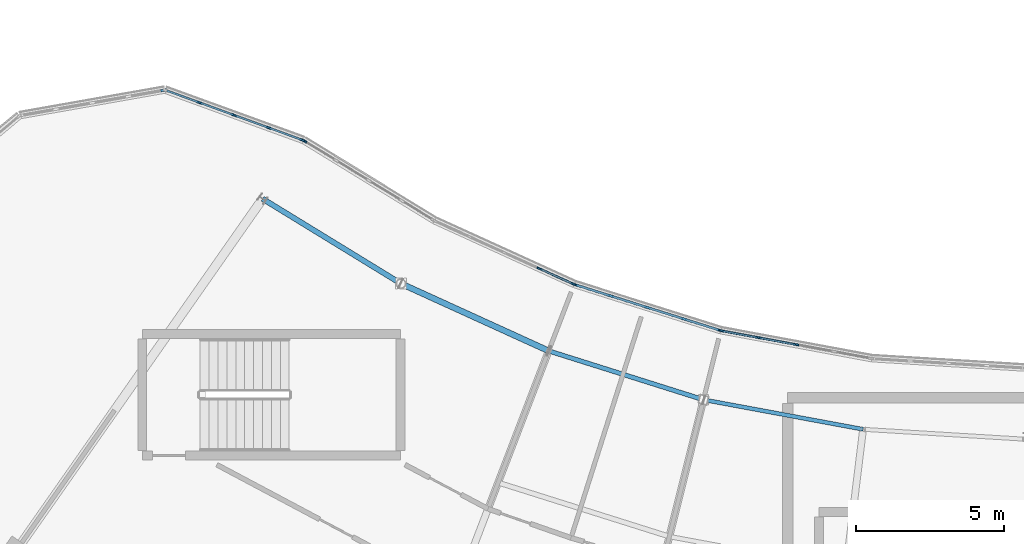
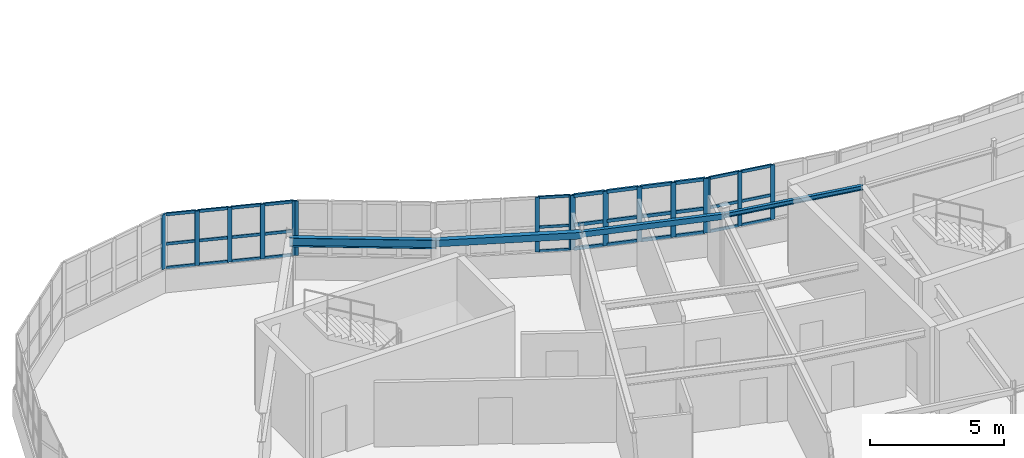
# One storey, part 22 of 79: 49 members, 4 beams, 6 elements without a shape of their own.
"""IFC4 building model written with IfcOpenShell, lengths in metres."""

from ifc_helpers import new_model, si_unit, direction, frame, origin, origin_2d, place, context, subcontext, project, spatial, rectangle, hollow_rectangle, i_section, extrude, material, layer, layer_set, material_profile, profile_set, type_object, element, aggregate, save


model = new_model("IFC4")

# Units and contexts
model_context = context("Model", 3, precision=1e-05, world=origin(), true_north=direction((0.0, 1.0)))
body_context = subcontext(model_context, "Body", "Model", "MODEL_VIEW")
ifc_project = project(units=[si_unit("LENGTHUNIT", "METRE"), si_unit("AREAUNIT", "SQUARE_METRE"), si_unit("VOLUMEUNIT", "CUBIC_METRE"), si_unit("PLANEANGLEUNIT", "RADIAN"), si_unit("MASSUNIT", "GRAM", prefix="KILO")], contexts=[model_context])

# Site, building, storey
site_placement = place(None, origin())
site = spatial("IfcSite", under=ifc_project, at=site_placement, CompositionType="ELEMENT")
building_placement = place(site_placement, origin())
building = spatial("IfcBuilding", under=site, at=building_placement, Name="Tarnwether General Hospital", CompositionType="ELEMENT")
storey_placement = place(building_placement, frame((0.0, 0.0, 18.300048828125)))
storey = spatial("IfcBuildingStorey", under=building, at=storey_placement, Name="L04", CompositionType="ELEMENT", Elevation=18.300048828125)

# Beams
ifc_material_1 = material(Name="Steel Grade 350 (350 MPa)", Category="steel")
ifc_material_profile_1 = material_profile(ifc_material_1, i_section(OverallWidth=0.177978515625, OverallDepth=0.403076171875, WebThickness=0.007568359375, FlangeThickness=0.010986328125, at=origin_2d()), Name="410UB53.7")
ifc_profile_set_1 = profile_set([ifc_material_profile_1], Name="Steel Grade 350 (350 MPa)")
beam_type_1 = type_object("IfcBeamType", Name="BM-SP2", PredefinedType="SPANDREL", material=ifc_profile_set_1)
beam_1_placement = place(storey_placement, frame((66.303955078125, 26.302001953125, 3.3583984375), z_axis=(0.85265897909, -0.522467860617, 0.0), x_axis=(0.522467860617, 0.85265897909, 0.0)))
element("IfcBeam", 1, at=beam_1_placement, inside=storey, type_object=beam_type_1, Name="Curved Ward SE Inner Spandrel BMG-L04-6630_2630-7097_2344-2139", PredefinedType="SPANDREL", context=body_context, shape_type="SweptSolid", body=[
    extrude(i_section(OverallWidth=0.177978515625, OverallDepth=0.403076171875, WebThickness=0.007568359375, FlangeThickness=0.010986328125, at=origin_2d()), origin(), (0.0, 0.0, 1.0), 5.469970703125),
])
ifc_material_2 = material(Name="Steel Grade C350L0 (350 MPa)", Category="steel")
ifc_material_profile_2 = material_profile(ifc_material_2, hollow_rectangle(XDim=0.199951171875, YDim=0.300048828125, WallThickness=0.012451171875, at=origin_2d()), Name="RHS300x200x12.5")
ifc_profile_set_2 = profile_set([ifc_material_profile_2], Name="Steel Grade C350L0 (350 MPa)")
beam_type_2 = type_object("IfcBeamType", Name="BM-SP3", PredefinedType="SPANDREL", material=ifc_profile_set_2)
beam_2_placement = place(storey_placement, frame((70.968017578125, 23.444091796875, 3.409912109375), z_axis=(0.909968605358, -0.414677148228, 0.0), x_axis=(0.414677148228, 0.909968605358, 0.0)))
element("IfcBeam", 2, at=beam_2_placement, inside=storey, type_object=beam_type_2, Name="Curved Ward SE Inner Spandrel BMG-L04-7097_2344-7594_2118-2141", PredefinedType="SPANDREL", context=body_context, shape_type="SweptSolid", body=[
    extrude(hollow_rectangle(XDim=0.199951171875, YDim=0.300048828125, WallThickness=0.012451171875, at=origin_2d()), origin(), (0.0, 0.0, 1.0), 5.469482421875),
])
ifc_material_3 = material(Name="Steel Grade C350L0 (350 MPa)", Category="steel")
ifc_material_profile_3 = material_profile(ifc_material_3, hollow_rectangle(XDim=0.14990234375, YDim=0.25, WallThickness=0.010009765625, at=origin_2d()), Name="RHS250x150x10")
ifc_profile_set_3 = profile_set([ifc_material_profile_3], Name="Steel Grade C350L0 (350 MPa)")
beam_type_3 = type_object("IfcBeamType", Name="BM-SP4", PredefinedType="SPANDREL", material=ifc_profile_set_3)
beam_3_placement = place(storey_placement, frame((75.945068359375, 21.176025390625, 3.43505859375), z_axis=(0.953712084488, -0.300721232874, 0.0), x_axis=(0.300721232874, 0.953712084488, 0.0)))
element("IfcBeam", 3, at=beam_3_placement, inside=storey, type_object=beam_type_3, Name="Curved Ward SE Inner Spandrel BMG-L04-7594_2118-8116_1953-2143", PredefinedType="SPANDREL", context=body_context, shape_type="SweptSolid", body=[
    extrude(hollow_rectangle(XDim=0.14990234375, YDim=0.25, WallThickness=0.010009765625, at=origin_2d()), origin(), (0.0, 0.0, 1.0), 5.47021484375),
])
ifc_material_4 = material(Name="Steel Grade 350 (350 MPa)", Category="steel")
ifc_material_profile_4 = material_profile(ifc_material_4, i_section(OverallWidth=0.133056640625, OverallDepth=0.202880859375, WebThickness=0.005859375, FlangeThickness=0.0078125, at=origin_2d()), Name="200UB25.4")
ifc_profile_set_4 = profile_set([ifc_material_profile_4], Name="Steel Grade 350 (350 MPa)")
beam_type_4 = type_object("IfcBeamType", Name="BM-SP5", PredefinedType="SPANDREL", material=ifc_profile_set_4)
beam_4_placement = place(storey_placement, frame((81.162109375, 19.531005859375, 3.45849609375), z_axis=(0.983244096291, -0.18229384825, 0.0), x_axis=(0.18229384825, 0.983244096291, 0.0)))
element("IfcBeam", 4, at=beam_4_placement, inside=storey, type_object=beam_type_4, Name="Curved Ward SE Inner Spandrel BMG-L04-8116_1953-8654_1853-2147", PredefinedType="SPANDREL", context=body_context, shape_type="SweptSolid", body=[
    extrude(i_section(OverallWidth=0.133056640625, OverallDepth=0.202880859375, WebThickness=0.005859375, FlangeThickness=0.0078125, at=origin_2d()), origin(), (0.0, 0.0, 1.0), 5.469482421875),
])

# Curtain wall, members
ifc_material_5 = material(Name="Anodised aluminium", Category="aluminium")
ifc_layer = layer(ifc_material_5, 0.159912109375)
ifc_layer_set = layer_set([ifc_layer], Name="Anodised aluminium")
curtain_wall_type = type_object("IfcCurtainWallType", Name="CW-03", PredefinedType="NOTDEFINED", material=ifc_layer_set)
curtain_wall_1_placement = place(storey_placement, origin())
curtain_wall_1 = element("IfcCurtainWall", 5, at=curtain_wall_1_placement, inside=storey, type_object=curtain_wall_type, Name="Curtain Wall CWG-L04-721_256-0210", PredefinedType="NOTDEFINED")
ifc_material_6 = material(Name="Anodised aluminium", Category="aluminium")
ifc_material_profile_5 = material_profile(ifc_material_6, rectangle(XDim=0.06005859375, YDim=0.159912109375, at=origin_2d()), Name="ALU-MUL-60x160")
ifc_profile_set_5 = profile_set([ifc_material_profile_5], Name="Anodised aluminium")
member_type_1 = type_object("IfcMemberType", Name="CW-ML1", PredefinedType="MULLION", material=ifc_profile_set_5)
member_1_placement = place(storey_placement, frame((75.627197265625, 23.95263671875, 1.050048828125), z_axis=(0.0, 0.0, 1.0), x_axis=(0.41470501572, 0.90995590549, 0.0)))
member_1 = element("IfcMember", 6, at=member_1_placement, type_object=member_type_1, Name="CW-03 mullion 4", PredefinedType="MULLION", context=body_context, shape_type="SweptSolid", body=[
    extrude(rectangle(XDim=0.06005859375, YDim=0.159912109375, at=origin_2d()), origin(), (0.0, 0.0, 1.0), 2.489990234375),
])
member_2_placement = place(storey_placement, frame((76.777587890625, 23.428466796875, 1.050048828125), z_axis=(0.0, 0.0, 1.0), x_axis=(0.41470501572, 0.90995590549, 0.0)))
member_2 = element("IfcMember", 7, at=member_2_placement, type_object=member_type_1, Name="CW-03 mullion 5", PredefinedType="MULLION", context=body_context, shape_type="SweptSolid", body=[
    extrude(rectangle(XDim=0.06005859375, YDim=0.159912109375, at=origin_2d()), origin(), (0.0, 0.0, 1.0), 2.489990234375),
])

# Curtain wall, member
curtain_wall_2_placement = place(storey_placement, origin())
curtain_wall_2 = element("IfcCurtainWall", 8, at=curtain_wall_2_placement, inside=storey, type_object=curtain_wall_type, Name="Curtain Wall CWG-L04-677_283-0211", PredefinedType="NOTDEFINED")
ifc_material_7 = material(Name="Anodised aluminium", Category="aluminium")
ifc_material_profile_6 = material_profile(ifc_material_7, rectangle(XDim=0.070068359375, YDim=0.179931640625, at=origin_2d()), Name="ALU-MUL-70x180")
ifc_profile_set_6 = profile_set([ifc_material_profile_6], Name="Anodised aluminium")
member_type_2 = type_object("IfcMemberType", Name="CW-ML2", PredefinedType="MULLION", material=ifc_profile_set_6)
member_3_placement = place(storey_placement, frame((67.7099609375, 28.249755859375, 1.050048828125), z_axis=(0.0, 0.0, 1.0), x_axis=(0.522512231483, 0.852631789198, 0.0)))
member_3 = element("IfcMember", 9, at=member_3_placement, type_object=member_type_2, Name="CW-03 mullion 1", PredefinedType="MULLION", context=body_context, shape_type="SweptSolid", body=[
    extrude(rectangle(XDim=0.070068359375, YDim=0.179931640625, at=origin_2d()), origin(), (0.0, 0.0, 1.0), 2.489990234375),
])
aggregate(curtain_wall_2, [member_3])

# Curtain wall, members
curtain_wall_3_placement = place(storey_placement, origin())
curtain_wall_3 = element("IfcCurtainWall", 10, at=curtain_wall_3_placement, inside=storey, type_object=curtain_wall_type, Name="Curtain Wall CWG-L04-817_219-0208", PredefinedType="NOTDEFINED")
ifc_material_8 = material(Name="Anodised aluminium", Category="aluminium")
ifc_material_profile_7 = material_profile(ifc_material_8, rectangle(XDim=0.06494140625, YDim=0.169921875, at=origin_2d()), Name="ALU-MUL-65x170")
ifc_profile_set_7 = profile_set([ifc_material_profile_7], Name="Anodised aluminium")
member_type_3 = type_object("IfcMemberType", Name="CW-ML3", PredefinedType="MULLION", material=ifc_profile_set_7)
member_4_placement = place(storey_placement, frame((81.77490234375, 21.85302734375, 1.050048828125), z_axis=(0.0, 0.0, 1.0), x_axis=(0.182165351666, 0.983267910924, 0.0)))
member_4 = element("IfcMember", 11, at=member_4_placement, type_object=member_type_3, Name="CW-03 mullion 1", PredefinedType="MULLION", context=body_context, shape_type="SweptSolid", body=[
    extrude(rectangle(XDim=0.06494140625, YDim=0.169921875, at=origin_2d()), origin(), (0.0, 0.0, 1.0), 2.489990234375),
])
member_5_placement = place(storey_placement, frame((83.015380859375, 21.623291015625, 1.050048828125), z_axis=(0.0, 0.0, 1.0), x_axis=(0.182165351666, 0.983267910924, 0.0)))
member_5 = element("IfcMember", 12, at=member_5_placement, type_object=member_type_3, Name="CW-03 mullion 2", PredefinedType="MULLION", context=body_context, shape_type="SweptSolid", body=[
    extrude(rectangle(XDim=0.06494140625, YDim=0.169921875, at=origin_2d()), origin(), (0.0, 0.0, 1.0), 2.489990234375),
])
member_6_placement = place(storey_placement, frame((84.2880859375, 21.387451171875, 1.050048828125), z_axis=(0.0, 0.0, 1.0), x_axis=(0.182165351666, 0.983267910924, 0.0)))
member_6 = element("IfcMember", 13, at=member_6_placement, type_object=member_type_3, Name="CW-03 mullion 3", PredefinedType="MULLION", context=body_context, shape_type="SweptSolid", body=[
    extrude(rectangle(XDim=0.06494140625, YDim=0.169921875, at=origin_2d()), origin(), (0.0, 0.0, 1.0), 2.489990234375),
])

curtain_wall_4_placement = place(storey_placement, origin())
curtain_wall_4 = element("IfcCurtainWall", 14, at=curtain_wall_4_placement, inside=storey, type_object=curtain_wall_type, Name="Curtain Wall CWG-L04-630_300-0212", PredefinedType="NOTDEFINED")
member_7_placement = place(storey_placement, frame((64.17822265625, 29.54296875, 1.050048828125), z_axis=(0.0, 0.0, 1.0), x_axis=(0.342130850834, 0.939652319163, 0.0)))
member_7 = element("IfcMember", 15, at=member_7_placement, type_object=member_type_3, Name="CW-03 mullion 2", PredefinedType="MULLION", context=body_context, shape_type="SweptSolid", body=[
    extrude(rectangle(XDim=0.06494140625, YDim=0.169921875, at=origin_2d()), origin(), (0.0, 0.0, 1.0), 2.489990234375),
])
member_8_placement = place(storey_placement, frame((65.345458984375, 29.117919921875, 1.050048828125), z_axis=(0.0, 0.0, 1.0), x_axis=(0.342130850834, 0.939652319163, 0.0)))
member_8 = element("IfcMember", 16, at=member_8_placement, type_object=member_type_3, Name="CW-03 mullion 3", PredefinedType="MULLION", context=body_context, shape_type="SweptSolid", body=[
    extrude(rectangle(XDim=0.06494140625, YDim=0.169921875, at=origin_2d()), origin(), (0.0, 0.0, 1.0), 2.489990234375),
])
member_9_placement = place(storey_placement, frame((66.5126953125, 28.693115234375, 1.050048828125), z_axis=(0.0, 0.0, 1.0), x_axis=(0.342130850834, 0.939652319163, 0.0)))
member_9 = element("IfcMember", 17, at=member_9_placement, type_object=member_type_3, Name="CW-03 mullion 4", PredefinedType="MULLION", context=body_context, shape_type="SweptSolid", body=[
    extrude(rectangle(XDim=0.06494140625, YDim=0.169921875, at=origin_2d()), origin(), (0.0, 0.0, 1.0), 2.489990234375),
])
member_10_placement = place(storey_placement, frame((67.6494140625, 28.279052734375, 1.050048828125), z_axis=(0.0, 0.0, 1.0), x_axis=(0.342130850834, 0.939652319163, 0.0)))
member_10 = element("IfcMember", 18, at=member_10_placement, type_object=member_type_3, Name="CW-03 mullion 5", PredefinedType="MULLION", context=body_context, shape_type="SweptSolid", body=[
    extrude(rectangle(XDim=0.06494140625, YDim=0.169921875, at=origin_2d()), origin(), (0.0, 0.0, 1.0), 2.489990234375),
])

curtain_wall_5_placement = place(storey_placement, origin())
curtain_wall_5 = element("IfcCurtainWall", 19, at=curtain_wall_5_placement, inside=storey, type_object=curtain_wall_type, Name="Curtain Wall CWG-L04-768_234-0209", PredefinedType="NOTDEFINED")
ifc_material_9 = material(Name="Anodised aluminium", Category="aluminium")
ifc_material_profile_8 = material_profile(ifc_material_9, rectangle(XDim=0.080078125, YDim=0.199951171875, at=origin_2d()), Name="ALU-MUL-80x200")
ifc_profile_set_8 = profile_set([ifc_material_profile_8], Name="Anodised aluminium")
member_type_4 = type_object("IfcMemberType", Name="CW-ML4", PredefinedType="MULLION", material=ifc_profile_set_8)
member_11_placement = place(storey_placement, frame((76.84326171875, 23.404052734375, 1.050048828125), z_axis=(0.0, 0.0, 1.0), x_axis=(0.30071538783, 0.953713927508, 0.0)))
member_11 = element("IfcMember", 20, at=member_11_placement, type_object=member_type_4, Name="CW-03 mullion 1", PredefinedType="MULLION", context=body_context, shape_type="SweptSolid", body=[
    extrude(rectangle(XDim=0.080078125, YDim=0.199951171875, at=origin_2d()), origin(), (0.0, 0.0, 1.0), 2.489990234375),
])
member_12_placement = place(storey_placement, frame((78.03955078125, 23.02685546875, 1.050048828125), z_axis=(0.0, 0.0, 1.0), x_axis=(0.30071538783, 0.953713927508, 0.0)))
member_12 = element("IfcMember", 21, at=member_12_placement, type_object=member_type_4, Name="CW-03 mullion 2", PredefinedType="MULLION", context=body_context, shape_type="SweptSolid", body=[
    extrude(rectangle(XDim=0.080078125, YDim=0.199951171875, at=origin_2d()), origin(), (0.0, 0.0, 1.0), 2.489990234375),
])
member_13_placement = place(storey_placement, frame((79.27392578125, 22.637451171875, 1.050048828125), z_axis=(0.0, 0.0, 1.0), x_axis=(0.30071538783, 0.953713927508, 0.0)))
member_13 = element("IfcMember", 22, at=member_13_placement, type_object=member_type_4, Name="CW-03 mullion 3", PredefinedType="MULLION", context=body_context, shape_type="SweptSolid", body=[
    extrude(rectangle(XDim=0.080078125, YDim=0.199951171875, at=origin_2d()), origin(), (0.0, 0.0, 1.0), 2.489990234375),
])
member_14_placement = place(storey_placement, frame((80.508544921875, 22.248291015625, 1.050048828125), z_axis=(0.0, 0.0, 1.0), x_axis=(0.30071538783, 0.953713927508, 0.0)))
member_14 = element("IfcMember", 23, at=member_14_placement, type_object=member_type_4, Name="CW-03 mullion 4", PredefinedType="MULLION", context=body_context, shape_type="SweptSolid", body=[
    extrude(rectangle(XDim=0.080078125, YDim=0.199951171875, at=origin_2d()), origin(), (0.0, 0.0, 1.0), 2.489990234375),
])
member_15_placement = place(storey_placement, frame((81.704833984375, 21.87109375, 1.050048828125), z_axis=(0.0, 0.0, 1.0), x_axis=(0.30071538783, 0.953713927508, 0.0)))
member_15 = element("IfcMember", 24, at=member_15_placement, type_object=member_type_4, Name="CW-03 mullion 5", PredefinedType="MULLION", context=body_context, shape_type="SweptSolid", body=[
    extrude(rectangle(XDim=0.080078125, YDim=0.199951171875, at=origin_2d()), origin(), (0.0, 0.0, 1.0), 2.489990234375),
])

# Curtain wall, member
curtain_wall_6_placement = place(storey_placement, origin())
curtain_wall_6 = element("IfcCurtainWall", 25, at=curtain_wall_6_placement, inside=storey, type_object=curtain_wall_type, Name="Curtain Wall CWG-L04-581_291-0213", PredefinedType="NOTDEFINED")
member_16_placement = place(storey_placement, frame((62.9716796875, 29.9609375, 1.050048828125), z_axis=(0.0, 0.0, 1.0), x_axis=(-0.173659059054, 0.984805834268, 0.0)))
member_16 = element("IfcMember", 26, at=member_16_placement, type_object=member_type_4, Name="CW-03 mullion 5", PredefinedType="MULLION", context=body_context, shape_type="SweptSolid", body=[
    extrude(rectangle(XDim=0.080078125, YDim=0.199951171875, at=origin_2d()), origin(), (0.0, 0.0, 1.0), 2.489990234375),
])
aggregate(curtain_wall_6, [member_16])

# Member
ifc_material_10 = material(Name="Anodised aluminium", Category="aluminium")
ifc_material_profile_9 = material_profile(ifc_material_10, rectangle(XDim=0.06005859375, YDim=0.1201171875, at=origin_2d()), Name="ALU-TRN-60x120")
ifc_profile_set_9 = profile_set([ifc_material_profile_9], Name="Anodised aluminium")
member_type_5 = type_object("IfcMemberType", Name="CW-TR1", PredefinedType="USERDEFINED", material=ifc_profile_set_9)
member_17_placement = place(storey_placement, frame((75.654541015625, 23.9404296875, 1.079833984375), z_axis=(0.909942541807, -0.414734337389, 0.0), x_axis=(0.414734337389, 0.909942541807, 0.0)))
member_17 = element("IfcMember", 27, at=member_17_placement, type_object=member_type_5, Name="CW-03 transom 4.1", ObjectType="TRANSOM", PredefinedType="USERDEFINED", context=body_context, shape_type="SweptSolid", body=[
    extrude(rectangle(XDim=0.06005859375, YDim=0.1201171875, at=origin_2d()), origin(), (0.0, 0.0, 1.0), 1.204345703125),
])

member_18_placement = place(storey_placement, frame((75.654541015625, 23.9404296875, 2.17041015625), z_axis=(0.909942541807, -0.414734337389, 0.0), x_axis=(0.414734337389, 0.909942541807, 0.0)))
member_18 = element("IfcMember", 28, at=member_18_placement, type_object=member_type_5, Name="CW-03 transom 4.2", ObjectType="TRANSOM", PredefinedType="USERDEFINED", context=body_context, shape_type="SweptSolid", body=[
    extrude(rectangle(XDim=0.06005859375, YDim=0.1201171875, at=origin_2d()), origin(), (0.0, 0.0, 1.0), 1.204345703125),
])

member_19_placement = place(storey_placement, frame((75.654541015625, 23.9404296875, 3.510009765625), z_axis=(0.909942541807, -0.414734337389, 0.0), x_axis=(0.414734337389, 0.909942541807, 0.0)))
member_19 = element("IfcMember", 29, at=member_19_placement, type_object=member_type_5, Name="CW-03 transom 4.3", ObjectType="TRANSOM", PredefinedType="USERDEFINED", context=body_context, shape_type="SweptSolid", body=[
    extrude(rectangle(XDim=0.06005859375, YDim=0.1201171875, at=origin_2d()), origin(), (0.0, 0.0, 1.0), 1.204345703125),
])

aggregate(curtain_wall_1, [member_1, member_2, member_17, member_18, member_19])

ifc_material_11 = material(Name="Anodised aluminium", Category="aluminium")
ifc_material_profile_10 = material_profile(ifc_material_11, rectangle(XDim=0.06494140625, YDim=0.1298828125, at=origin_2d()), Name="ALU-TRN-65x130")
ifc_profile_set_10 = profile_set([ifc_material_profile_10], Name="Anodised aluminium")
member_type_6 = type_object("IfcMemberType", Name="CW-TR3", PredefinedType="USERDEFINED", material=ifc_profile_set_10)
member_20_placement = place(storey_placement, frame((81.806884765625, 21.84716796875, 1.08251953125), z_axis=(0.983267121259, -0.182169613959, 0.0), x_axis=(0.182169613959, 0.983267121259, 0.0)))
member_20 = element("IfcMember", 30, at=member_20_placement, type_object=member_type_6, Name="CW-03 transom 1.1", ObjectType="TRANSOM", PredefinedType="USERDEFINED", context=body_context, shape_type="SweptSolid", body=[
    extrude(rectangle(XDim=0.06494140625, YDim=0.1298828125, at=origin_2d()), origin(), (0.0, 0.0, 1.0), 1.19677734375),
])

member_21_placement = place(storey_placement, frame((81.806884765625, 21.84716796875, 2.17041015625), z_axis=(0.983267121259, -0.182169613959, 0.0), x_axis=(0.182169613959, 0.983267121259, 0.0)))
member_21 = element("IfcMember", 31, at=member_21_placement, type_object=member_type_6, Name="CW-03 transom 1.2", ObjectType="TRANSOM", PredefinedType="USERDEFINED", context=body_context, shape_type="SweptSolid", body=[
    extrude(rectangle(XDim=0.06494140625, YDim=0.1298828125, at=origin_2d()), origin(), (0.0, 0.0, 1.0), 1.19677734375),
])

member_22_placement = place(storey_placement, frame((81.806884765625, 21.84716796875, 3.507568359375), z_axis=(0.983267121259, -0.182169613959, 0.0), x_axis=(0.182169613959, 0.983267121259, 0.0)))
member_22 = element("IfcMember", 32, at=member_22_placement, type_object=member_type_6, Name="CW-03 transom 1.3", ObjectType="TRANSOM", PredefinedType="USERDEFINED", context=body_context, shape_type="SweptSolid", body=[
    extrude(rectangle(XDim=0.06494140625, YDim=0.1298828125, at=origin_2d()), origin(), (0.0, 0.0, 1.0), 1.19677734375),
])

member_23_placement = place(storey_placement, frame((83.04736328125, 21.617431640625, 1.08251953125), z_axis=(0.983241155151, -0.182309711256, 0.0), x_axis=(0.182309711256, 0.983241155151, 0.0)))
member_23 = element("IfcMember", 33, at=member_23_placement, type_object=member_type_6, Name="CW-03 transom 2.1", ObjectType="TRANSOM", PredefinedType="USERDEFINED", context=body_context, shape_type="SweptSolid", body=[
    extrude(rectangle(XDim=0.06494140625, YDim=0.1298828125, at=origin_2d()), origin(), (0.0, 0.0, 1.0), 1.229248046875),
])

member_24_placement = place(storey_placement, frame((83.04736328125, 21.617431640625, 2.17041015625), z_axis=(0.983241155151, -0.182309711256, 0.0), x_axis=(0.182309711256, 0.983241155151, 0.0)))
member_24 = element("IfcMember", 34, at=member_24_placement, type_object=member_type_6, Name="CW-03 transom 2.2", ObjectType="TRANSOM", PredefinedType="USERDEFINED", context=body_context, shape_type="SweptSolid", body=[
    extrude(rectangle(XDim=0.06494140625, YDim=0.1298828125, at=origin_2d()), origin(), (0.0, 0.0, 1.0), 1.229248046875),
])

member_25_placement = place(storey_placement, frame((83.04736328125, 21.617431640625, 3.507568359375), z_axis=(0.983241155151, -0.182309711256, 0.0), x_axis=(0.182309711256, 0.983241155151, 0.0)))
member_25 = element("IfcMember", 35, at=member_25_placement, type_object=member_type_6, Name="CW-03 transom 2.3", ObjectType="TRANSOM", PredefinedType="USERDEFINED", context=body_context, shape_type="SweptSolid", body=[
    extrude(rectangle(XDim=0.06494140625, YDim=0.1298828125, at=origin_2d()), origin(), (0.0, 0.0, 1.0), 1.229248046875),
])

aggregate(curtain_wall_3, [member_4, member_5, member_6, member_20, member_21, member_22, member_23, member_24, member_25])

member_26_placement = place(storey_placement, frame((63.072021484375, 29.94580078125, 1.08251953125), z_axis=(0.9396688237, -0.342085518206, 0.0), x_axis=(0.342085518206, 0.9396688237, 0.0)))
member_26 = element("IfcMember", 36, at=member_26_placement, type_object=member_type_6, Name="CW-03 transom 1.1", ObjectType="TRANSOM", PredefinedType="USERDEFINED", context=body_context, shape_type="SweptSolid", body=[
    extrude(rectangle(XDim=0.06494140625, YDim=0.1298828125, at=origin_2d()), origin(), (0.0, 0.0, 1.0), 1.144775390625),
])

member_27_placement = place(storey_placement, frame((63.072021484375, 29.94580078125, 2.17041015625), z_axis=(0.9396688237, -0.342085518206, 0.0), x_axis=(0.342085518206, 0.9396688237, 0.0)))
member_27 = element("IfcMember", 37, at=member_27_placement, type_object=member_type_6, Name="CW-03 transom 1.2", ObjectType="TRANSOM", PredefinedType="USERDEFINED", context=body_context, shape_type="SweptSolid", body=[
    extrude(rectangle(XDim=0.06494140625, YDim=0.1298828125, at=origin_2d()), origin(), (0.0, 0.0, 1.0), 1.144775390625),
])

member_28_placement = place(storey_placement, frame((63.072021484375, 29.94580078125, 3.507568359375), z_axis=(0.9396688237, -0.342085518206, 0.0), x_axis=(0.342085518206, 0.9396688237, 0.0)))
member_28 = element("IfcMember", 38, at=member_28_placement, type_object=member_type_6, Name="CW-03 transom 1.3", ObjectType="TRANSOM", PredefinedType="USERDEFINED", context=body_context, shape_type="SweptSolid", body=[
    extrude(rectangle(XDim=0.06494140625, YDim=0.1298828125, at=origin_2d()), origin(), (0.0, 0.0, 1.0), 1.144775390625),
])

member_29_placement = place(storey_placement, frame((64.208740234375, 29.531982421875, 1.08251953125), z_axis=(0.939635897103, -0.34217595017, 0.0), x_axis=(0.34217595017, 0.939635897103, 0.0)))
member_29 = element("IfcMember", 39, at=member_29_placement, type_object=member_type_6, Name="CW-03 transom 2.1", ObjectType="TRANSOM", PredefinedType="USERDEFINED", context=body_context, shape_type="SweptSolid", body=[
    extrude(rectangle(XDim=0.06494140625, YDim=0.1298828125, at=origin_2d()), origin(), (0.0, 0.0, 1.0), 1.17724609375),
])

member_30_placement = place(storey_placement, frame((64.208740234375, 29.531982421875, 2.17041015625), z_axis=(0.939635897103, -0.34217595017, 0.0), x_axis=(0.34217595017, 0.939635897103, 0.0)))
member_30 = element("IfcMember", 40, at=member_30_placement, type_object=member_type_6, Name="CW-03 transom 2.2", ObjectType="TRANSOM", PredefinedType="USERDEFINED", context=body_context, shape_type="SweptSolid", body=[
    extrude(rectangle(XDim=0.06494140625, YDim=0.1298828125, at=origin_2d()), origin(), (0.0, 0.0, 1.0), 1.17724609375),
])

member_31_placement = place(storey_placement, frame((64.208740234375, 29.531982421875, 3.507568359375), z_axis=(0.939635897103, -0.34217595017, 0.0), x_axis=(0.34217595017, 0.939635897103, 0.0)))
member_31 = element("IfcMember", 41, at=member_31_placement, type_object=member_type_6, Name="CW-03 transom 2.3", ObjectType="TRANSOM", PredefinedType="USERDEFINED", context=body_context, shape_type="SweptSolid", body=[
    extrude(rectangle(XDim=0.06494140625, YDim=0.1298828125, at=origin_2d()), origin(), (0.0, 0.0, 1.0), 1.17724609375),
])

member_32_placement = place(storey_placement, frame((65.3759765625, 29.10693359375, 1.08251953125), z_axis=(0.939635897103, -0.34217595017, 0.0), x_axis=(0.34217595017, 0.939635897103, 0.0)))
member_32 = element("IfcMember", 42, at=member_32_placement, type_object=member_type_6, Name="CW-03 transom 3.1", ObjectType="TRANSOM", PredefinedType="USERDEFINED", context=body_context, shape_type="SweptSolid", body=[
    extrude(rectangle(XDim=0.06494140625, YDim=0.1298828125, at=origin_2d()), origin(), (0.0, 0.0, 1.0), 1.17724609375),
])

member_33_placement = place(storey_placement, frame((65.3759765625, 29.10693359375, 2.17041015625), z_axis=(0.939635897103, -0.34217595017, 0.0), x_axis=(0.34217595017, 0.939635897103, 0.0)))
member_33 = element("IfcMember", 43, at=member_33_placement, type_object=member_type_6, Name="CW-03 transom 3.2", ObjectType="TRANSOM", PredefinedType="USERDEFINED", context=body_context, shape_type="SweptSolid", body=[
    extrude(rectangle(XDim=0.06494140625, YDim=0.1298828125, at=origin_2d()), origin(), (0.0, 0.0, 1.0), 1.17724609375),
])

member_34_placement = place(storey_placement, frame((65.3759765625, 29.10693359375, 3.507568359375), z_axis=(0.939635897103, -0.34217595017, 0.0), x_axis=(0.34217595017, 0.939635897103, 0.0)))
member_34 = element("IfcMember", 44, at=member_34_placement, type_object=member_type_6, Name="CW-03 transom 3.3", ObjectType="TRANSOM", PredefinedType="USERDEFINED", context=body_context, shape_type="SweptSolid", body=[
    extrude(rectangle(XDim=0.06494140625, YDim=0.1298828125, at=origin_2d()), origin(), (0.0, 0.0, 1.0), 1.17724609375),
])

member_35_placement = place(storey_placement, frame((66.543212890625, 28.681884765625, 1.08251953125), z_axis=(0.9396688237, -0.342085518206, 0.0), x_axis=(0.342085518206, 0.9396688237, 0.0)))
member_35 = element("IfcMember", 45, at=member_35_placement, type_object=member_type_6, Name="CW-03 transom 4.1", ObjectType="TRANSOM", PredefinedType="USERDEFINED", context=body_context, shape_type="SweptSolid", body=[
    extrude(rectangle(XDim=0.06494140625, YDim=0.1298828125, at=origin_2d()), origin(), (0.0, 0.0, 1.0), 1.144775390625),
])

member_36_placement = place(storey_placement, frame((66.543212890625, 28.681884765625, 2.17041015625), z_axis=(0.9396688237, -0.342085518206, 0.0), x_axis=(0.342085518206, 0.9396688237, 0.0)))
member_36 = element("IfcMember", 46, at=member_36_placement, type_object=member_type_6, Name="CW-03 transom 4.2", ObjectType="TRANSOM", PredefinedType="USERDEFINED", context=body_context, shape_type="SweptSolid", body=[
    extrude(rectangle(XDim=0.06494140625, YDim=0.1298828125, at=origin_2d()), origin(), (0.0, 0.0, 1.0), 1.144775390625),
])

member_37_placement = place(storey_placement, frame((66.543212890625, 28.681884765625, 3.507568359375), z_axis=(0.9396688237, -0.342085518206, 0.0), x_axis=(0.342085518206, 0.9396688237, 0.0)))
member_37 = element("IfcMember", 47, at=member_37_placement, type_object=member_type_6, Name="CW-03 transom 4.3", ObjectType="TRANSOM", PredefinedType="USERDEFINED", context=body_context, shape_type="SweptSolid", body=[
    extrude(rectangle(XDim=0.06494140625, YDim=0.1298828125, at=origin_2d()), origin(), (0.0, 0.0, 1.0), 1.144775390625),
])

aggregate(curtain_wall_4, [member_7, member_8, member_9, member_10, member_26, member_27, member_28, member_29, member_30, member_31, member_32, member_33, member_34, member_35, member_36, member_37])

ifc_material_12 = material(Name="Anodised aluminium", Category="aluminium")
ifc_material_profile_11 = material_profile(ifc_material_12, rectangle(XDim=0.080078125, YDim=0.14990234375, at=origin_2d()), Name="ALU-TRN-80x150")
ifc_profile_set_11 = profile_set([ifc_material_profile_11], Name="Anodised aluminium")
member_type_7 = type_object("IfcMemberType", Name="CW-TR4", PredefinedType="USERDEFINED", material=ifc_profile_set_11)
member_38_placement = place(storey_placement, frame((76.88134765625, 23.391845703125, 1.08984375), z_axis=(0.953752168784, -0.300594079351, 0.0), x_axis=(0.300594079351, 0.953752168784, 0.0)))
member_38 = element("IfcMember", 48, at=member_38_placement, type_object=member_type_7, Name="CW-03 transom 1.1", ObjectType="TRANSOM", PredefinedType="USERDEFINED", context=body_context, shape_type="SweptSolid", body=[
    extrude(rectangle(XDim=0.080078125, YDim=0.14990234375, at=origin_2d()), origin(), (0.0, 0.0, 1.0), 1.17431640625),
])

member_39_placement = place(storey_placement, frame((76.88134765625, 23.391845703125, 2.17041015625), z_axis=(0.953752168784, -0.300594079351, 0.0), x_axis=(0.300594079351, 0.953752168784, 0.0)))
member_39 = element("IfcMember", 49, at=member_39_placement, type_object=member_type_7, Name="CW-03 transom 1.2", ObjectType="TRANSOM", PredefinedType="USERDEFINED", context=body_context, shape_type="SweptSolid", body=[
    extrude(rectangle(XDim=0.080078125, YDim=0.14990234375, at=origin_2d()), origin(), (0.0, 0.0, 1.0), 1.17431640625),
])

member_40_placement = place(storey_placement, frame((76.88134765625, 23.391845703125, 3.5), z_axis=(0.953752168784, -0.300594079351, 0.0), x_axis=(0.300594079351, 0.953752168784, 0.0)))
member_40 = element("IfcMember", 50, at=member_40_placement, type_object=member_type_7, Name="CW-03 transom 1.3", ObjectType="TRANSOM", PredefinedType="USERDEFINED", context=body_context, shape_type="SweptSolid", body=[
    extrude(rectangle(XDim=0.080078125, YDim=0.14990234375, at=origin_2d()), origin(), (0.0, 0.0, 1.0), 1.17431640625),
])

member_41_placement = place(storey_placement, frame((78.07763671875, 23.0146484375, 1.08984375), z_axis=(0.953704119214, -0.300746492905, 0.0), x_axis=(0.300746492905, 0.953704119214, 0.0)))
member_41 = element("IfcMember", 51, at=member_41_placement, type_object=member_type_7, Name="CW-03 transom 2.1", ObjectType="TRANSOM", PredefinedType="USERDEFINED", context=body_context, shape_type="SweptSolid", body=[
    extrude(rectangle(XDim=0.080078125, YDim=0.14990234375, at=origin_2d()), origin(), (0.0, 0.0, 1.0), 1.21435546875),
])

member_42_placement = place(storey_placement, frame((78.07763671875, 23.0146484375, 2.17041015625), z_axis=(0.953704119214, -0.300746492905, 0.0), x_axis=(0.300746492905, 0.953704119214, 0.0)))
member_42 = element("IfcMember", 52, at=member_42_placement, type_object=member_type_7, Name="CW-03 transom 2.2", ObjectType="TRANSOM", PredefinedType="USERDEFINED", context=body_context, shape_type="SweptSolid", body=[
    extrude(rectangle(XDim=0.080078125, YDim=0.14990234375, at=origin_2d()), origin(), (0.0, 0.0, 1.0), 1.21435546875),
])

member_43_placement = place(storey_placement, frame((78.07763671875, 23.0146484375, 3.5), z_axis=(0.953704119214, -0.300746492905, 0.0), x_axis=(0.300746492905, 0.953704119214, 0.0)))
member_43 = element("IfcMember", 53, at=member_43_placement, type_object=member_type_7, Name="CW-03 transom 2.3", ObjectType="TRANSOM", PredefinedType="USERDEFINED", context=body_context, shape_type="SweptSolid", body=[
    extrude(rectangle(XDim=0.080078125, YDim=0.14990234375, at=origin_2d()), origin(), (0.0, 0.0, 1.0), 1.21435546875),
])

member_44_placement = place(storey_placement, frame((79.312255859375, 22.62548828125, 1.08984375), z_axis=(0.953704119214, -0.300746492905, 0.0), x_axis=(0.300746492905, 0.953704119214, 0.0)))
member_44 = element("IfcMember", 54, at=member_44_placement, type_object=member_type_7, Name="CW-03 transom 3.1", ObjectType="TRANSOM", PredefinedType="USERDEFINED", context=body_context, shape_type="SweptSolid", body=[
    extrude(rectangle(XDim=0.080078125, YDim=0.14990234375, at=origin_2d()), origin(), (0.0, 0.0, 1.0), 1.21435546875),
])

member_45_placement = place(storey_placement, frame((79.312255859375, 22.62548828125, 2.17041015625), z_axis=(0.953704119214, -0.300746492905, 0.0), x_axis=(0.300746492905, 0.953704119214, 0.0)))
member_45 = element("IfcMember", 55, at=member_45_placement, type_object=member_type_7, Name="CW-03 transom 3.2", ObjectType="TRANSOM", PredefinedType="USERDEFINED", context=body_context, shape_type="SweptSolid", body=[
    extrude(rectangle(XDim=0.080078125, YDim=0.14990234375, at=origin_2d()), origin(), (0.0, 0.0, 1.0), 1.21435546875),
])

member_46_placement = place(storey_placement, frame((79.312255859375, 22.62548828125, 3.5), z_axis=(0.953704119214, -0.300746492905, 0.0), x_axis=(0.300746492905, 0.953704119214, 0.0)))
member_46 = element("IfcMember", 56, at=member_46_placement, type_object=member_type_7, Name="CW-03 transom 3.3", ObjectType="TRANSOM", PredefinedType="USERDEFINED", context=body_context, shape_type="SweptSolid", body=[
    extrude(rectangle(XDim=0.080078125, YDim=0.14990234375, at=origin_2d()), origin(), (0.0, 0.0, 1.0), 1.21435546875),
])

member_47_placement = place(storey_placement, frame((80.546630859375, 22.236328125, 1.08984375), z_axis=(0.953692556259, -0.300783158001, 0.0), x_axis=(0.300783158001, 0.953692556259, 0.0)))
member_47 = element("IfcMember", 57, at=member_47_placement, type_object=member_type_7, Name="CW-03 transom 4.1", ObjectType="TRANSOM", PredefinedType="USERDEFINED", context=body_context, shape_type="SweptSolid", body=[
    extrude(rectangle(XDim=0.080078125, YDim=0.14990234375, at=origin_2d()), origin(), (0.0, 0.0, 1.0), 1.174560546875),
])

member_48_placement = place(storey_placement, frame((80.546630859375, 22.236328125, 2.17041015625), z_axis=(0.953692556259, -0.300783158001, 0.0), x_axis=(0.300783158001, 0.953692556259, 0.0)))
member_48 = element("IfcMember", 58, at=member_48_placement, type_object=member_type_7, Name="CW-03 transom 4.2", ObjectType="TRANSOM", PredefinedType="USERDEFINED", context=body_context, shape_type="SweptSolid", body=[
    extrude(rectangle(XDim=0.080078125, YDim=0.14990234375, at=origin_2d()), origin(), (0.0, 0.0, 1.0), 1.174560546875),
])

member_49_placement = place(storey_placement, frame((80.546630859375, 22.236328125, 3.5), z_axis=(0.953692556259, -0.300783158001, 0.0), x_axis=(0.300783158001, 0.953692556259, 0.0)))
member_49 = element("IfcMember", 59, at=member_49_placement, type_object=member_type_7, Name="CW-03 transom 4.3", ObjectType="TRANSOM", PredefinedType="USERDEFINED", context=body_context, shape_type="SweptSolid", body=[
    extrude(rectangle(XDim=0.080078125, YDim=0.14990234375, at=origin_2d()), origin(), (0.0, 0.0, 1.0), 1.174560546875),
])

aggregate(curtain_wall_5, [member_11, member_12, member_13, member_14, member_15, member_38, member_39, member_40, member_41, member_42, member_43, member_44, member_45, member_46, member_47, member_48, member_49])

save(model, "model.ifc")
